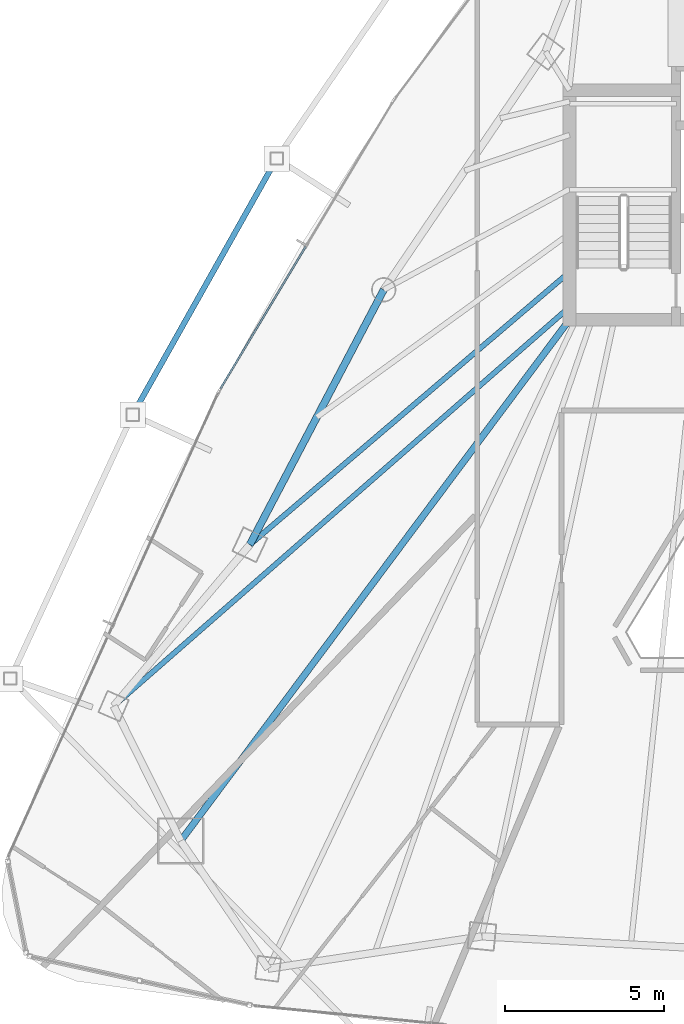
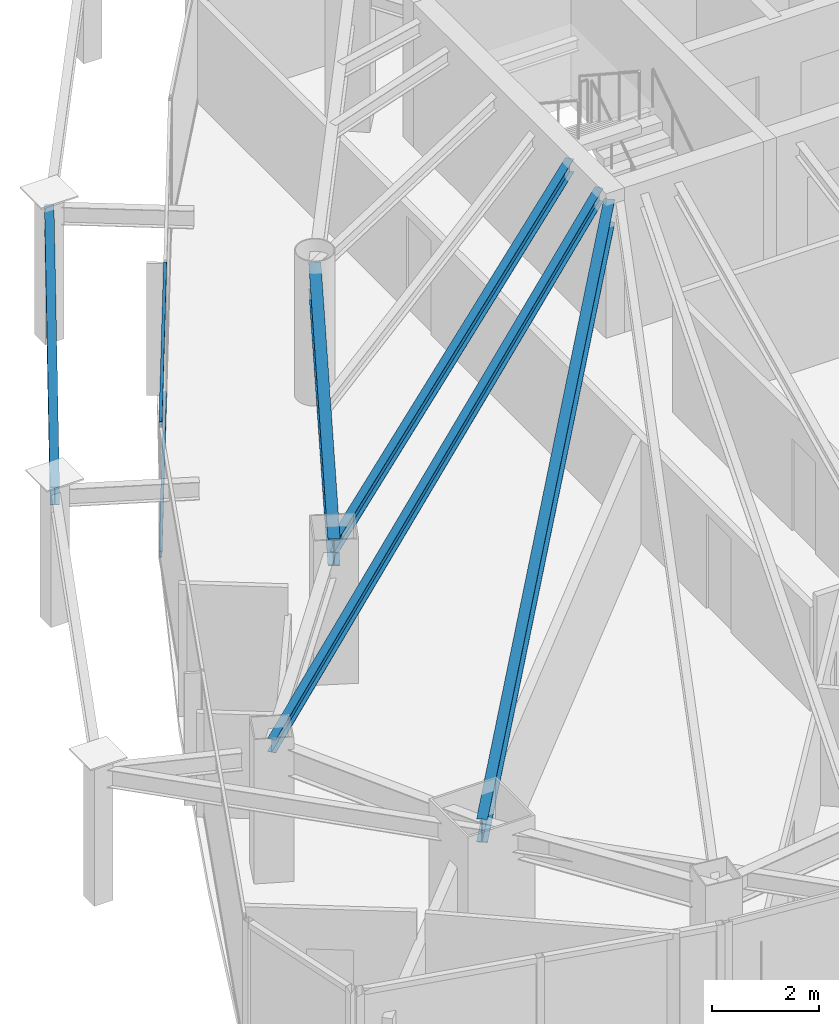
# One storey, part 11 of 31: 5 beams, 2 members, 1 element without a shape of its own.
"""IFC4 building model written with IfcOpenShell, lengths in metres."""

from ifc_helpers import new_model, si_unit, direction, frame, origin, origin_2d, place, context, subcontext, project, spatial, hollow_rectangle, i_section, extrude, material, layer, layer_set, material_profile, profile_set, type_object, element, aggregate, save


model = new_model("IFC4")

# Units and contexts
model_context = context("Model", 3, precision=1e-05, world=origin(), true_north=direction((0.0, 1.0)))
body_context = subcontext(model_context, "Body", "Model", "MODEL_VIEW")
ifc_project = project(units=[si_unit("LENGTHUNIT", "METRE"), si_unit("AREAUNIT", "SQUARE_METRE"), si_unit("VOLUMEUNIT", "CUBIC_METRE"), si_unit("PLANEANGLEUNIT", "RADIAN"), si_unit("MASSUNIT", "GRAM", prefix="KILO")], contexts=[model_context])

# Site, building, storey
site_placement = place(None, origin())
site = spatial("IfcSite", under=ifc_project, at=site_placement, CompositionType="ELEMENT")
building_placement = place(site_placement, origin())
building = spatial("IfcBuilding", under=site, at=building_placement, Name="Orvanel Arch Residences", CompositionType="ELEMENT")
storey_placement = place(building_placement, frame((0.0, 0.0, 183.64990234375)))
storey = spatial("IfcBuildingStorey", under=building, at=storey_placement, Name="L52", CompositionType="ELEMENT", Elevation=183.64990234375)

# Beams
ifc_material_1 = material(Name="Structural steel AS/NZS 3679.1 Grade 300 (300 MPa)", Category="steel")
ifc_material_profile_1 = material_profile(ifc_material_1, i_section(OverallWidth=0.208984375, OverallDepth=0.532958984375, WebThickness=0.01025390625, FlangeThickness=0.015625, at=origin_2d()), Name="530UB92.4")
ifc_profile_set_1 = profile_set([ifc_material_profile_1], Name="Structural steel AS/NZS 3679.1 Grade 300 (300 MPa)")
beam_type_1 = type_object("IfcBeamType", Name="BG-530UB", PredefinedType="BEAM", material=ifc_profile_set_1)
beam_1_placement = place(storey_placement, frame((26.375, 26.675048828125, 2.753173828125), z_axis=(-0.597893733742, -0.801575375839, 0.0), x_axis=(0.801575375839, -0.597893733742, 0.0)))
element("IfcBeam", 1, at=beam_1_placement, inside=storey, type_object=beam_type_1, Name="L52 South-West Radial Girder", PredefinedType="BEAM", context=body_context, shape_type="SweptSolid", body=[
    extrude(i_section(OverallWidth=0.208984375, OverallDepth=0.532958984375, WebThickness=0.01025390625, FlangeThickness=0.015625, at=origin_2d()), origin(), (0.0, 0.0, 1.0), 20.36474609375),
])
ifc_material_profile_2 = material_profile(ifc_material_1, i_section(OverallWidth=0.1650390625, OverallDepth=0.303955078125, WebThickness=0.006103515625, FlangeThickness=0.01025390625, at=origin_2d()), Name="310UB40.4")
ifc_profile_set_2 = profile_set([ifc_material_profile_2], Name="Structural steel AS/NZS 3679.1 Grade 300 (300 MPa)")
beam_type_2 = type_object("IfcBeamType", Name="BJ-310UB", PredefinedType="JOIST", material=ifc_profile_set_2)
beam_2_placement = place(storey_placement, frame((26.39990234375, 28.199951171875, 2.8681640625), z_axis=(-0.760821315761, -0.648961420644, 0.0), x_axis=(0.648961420644, -0.760821315761, 0.0)))
element("IfcBeam", 2, at=beam_2_placement, inside=storey, type_object=beam_type_2, Name="L52 W Wing Floor Joist", PredefinedType="JOIST", context=body_context, shape_type="SweptSolid", body=[
    extrude(i_section(OverallWidth=0.1650390625, OverallDepth=0.303955078125, WebThickness=0.006103515625, FlangeThickness=0.01025390625, at=origin_2d()), origin(), (0.0, 0.0, 1.0), 13.18701171875),
])
beam_3_placement = place(storey_placement, frame((26.39990234375, 27.10009765625, 2.8681640625), z_axis=(-0.752493154183, -0.658600070534, 0.0), x_axis=(0.658600070534, -0.752493154183, 0.0)))
element("IfcBeam", 3, at=beam_3_placement, inside=storey, type_object=beam_type_2, Name="L52 MW Wing Floor Joist", PredefinedType="JOIST", context=body_context, shape_type="SweptSolid", body=[
    extrude(i_section(OverallWidth=0.1650390625, OverallDepth=0.303955078125, WebThickness=0.006103515625, FlangeThickness=0.01025390625, at=origin_2d()), origin(), (0.0, 0.0, 1.0), 19.010009765625),
])
ifc_material_profile_3 = material_profile(ifc_material_1, i_section(OverallWidth=0.177978515625, OverallDepth=0.406005859375, WebThickness=0.0078125, FlangeThickness=0.0126953125, at=origin_2d()), Name="410UB59.7")
ifc_profile_set_3 = profile_set([ifc_material_profile_3], Name="Structural steel AS/NZS 3679.1 Grade 300 (300 MPa)")
beam_type_3 = type_object("IfcBeamType", Name="OB-410UB-EXT", PredefinedType="SPANDREL", material=ifc_profile_set_3)
beam_4_placement = place(storey_placement, frame((17.2119140625, 31.759033203125, 2.817138671875), z_axis=(-0.490190842834, -0.871615131581, 0.0), x_axis=(0.871615131581, -0.490190842834, 0.0)))
element("IfcBeam", 4, at=beam_4_placement, inside=storey, type_object=beam_type_3, Name="L52 Outer Perimeter Floor Ring Beam 02", PredefinedType="SPANDREL", context=body_context, shape_type="SweptSolid", body=[
    extrude(i_section(OverallWidth=0.177978515625, OverallDepth=0.406005859375, WebThickness=0.0078125, FlangeThickness=0.0126953125, at=origin_2d()), origin(), (0.0, 0.0, 1.0), 9.220947265625),
])
ifc_material_profile_4 = material_profile(ifc_material_1, i_section(OverallWidth=0.22900390625, OverallDepth=0.612060546875, WebThickness=0.011962890625, FlangeThickness=0.01953125, at=origin_2d()), Name="610UB125")
ifc_profile_set_4 = profile_set([ifc_material_profile_4], Name="Structural steel AS/NZS 3679.1 Grade 300 (300 MPa)")
beam_type_4 = type_object("IfcBeamType", Name="SP-610UB", PredefinedType="SPANDREL", material=ifc_profile_set_4)
beam_5_placement = place(storey_placement, frame((20.569091796875, 27.64111328125, 2.714111328125), z_axis=(-0.465064762793, -0.885276660942, 0.0), x_axis=(0.885276660942, -0.465064762793, 0.0)))
element("IfcBeam", 5, at=beam_5_placement, inside=storey, type_object=beam_type_4, Name="L52 Perimeter Spandrel Beam 18", PredefinedType="SPANDREL", context=body_context, shape_type="SweptSolid", body=[
    extrude(i_section(OverallWidth=0.22900390625, OverallDepth=0.612060546875, WebThickness=0.011962890625, FlangeThickness=0.01953125, at=origin_2d()), origin(), (0.0, 0.0, 1.0), 9.03564453125),
])

# Curtain wall, members
ifc_material_2 = material(Name="Bronze-anodised aluminium AA6063-T6", Category="aluminium")
ifc_layer = layer(ifc_material_2, 0.179931640625)
ifc_layer_set = layer_set([ifc_layer], Name="Bronze-anodised aluminium AA6063-T6")
curtain_wall_type = type_object("IfcCurtainWallType", Name="CW3-MID-SYS", PredefinedType="NOTDEFINED", material=ifc_layer_set)
curtain_wall_placement = place(storey_placement, origin())
curtain_wall = element("IfcCurtainWall", 6, at=curtain_wall_placement, inside=storey, type_object=curtain_wall_type, Name="L52 CW3-MID-SYS Unitised Curtain Wall", PredefinedType="NOTDEFINED")
ifc_material_profile_5 = material_profile(ifc_material_2, hollow_rectangle(XDim=0.06005859375, YDim=0.135009765625, WallThickness=0.00390625, at=origin_2d()), Name="ALU135x60x4")
ifc_profile_set_5 = profile_set([ifc_material_profile_5], Name="Bronze-anodised aluminium AA6063-T6")
member_type = type_object("IfcMemberType", Name="TRN-135x60", PredefinedType="USERDEFINED", material=ifc_profile_set_5)
member_1_placement = place(storey_placement, frame((18.12158203125, 28.998046875, 0.030029296875), z_axis=(-0.514357806117, -0.857575680209, 0.0), x_axis=(0.857575680209, -0.514357806117, 0.0)))
member_1 = element("IfcMember", 7, at=member_1_placement, type_object=member_type, Name="CW-S3 transom 2.1", ObjectType="TRANSOM", PredefinedType="USERDEFINED", context=body_context, shape_type="SweptSolid", body=[
    extrude(hollow_rectangle(XDim=0.06005859375, YDim=0.135009765625, WallThickness=0.00390625, at=origin_2d()), origin(), (0.0, 0.0, 1.0), 5.20556640625),
])
member_2_placement = place(storey_placement, frame((18.12158203125, 28.998046875, 2.989990234375), z_axis=(-0.514357806117, -0.857575680209, 0.0), x_axis=(0.857575680209, -0.514357806117, 0.0)))
member_2 = element("IfcMember", 8, at=member_2_placement, type_object=member_type, Name="CW-S3 transom 2.2", ObjectType="TRANSOM", PredefinedType="USERDEFINED", context=body_context, shape_type="SweptSolid", body=[
    extrude(hollow_rectangle(XDim=0.06005859375, YDim=0.135009765625, WallThickness=0.00390625, at=origin_2d()), origin(), (0.0, 0.0, 1.0), 5.20556640625),
])
aggregate(curtain_wall, [member_1, member_2])

save(model, "model.ifc")
